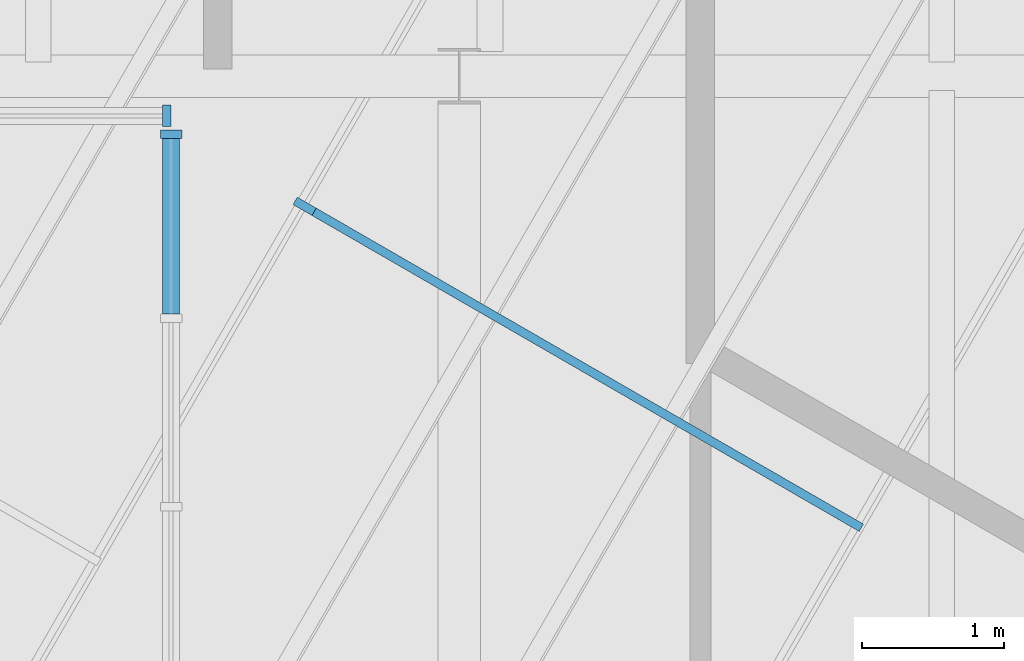
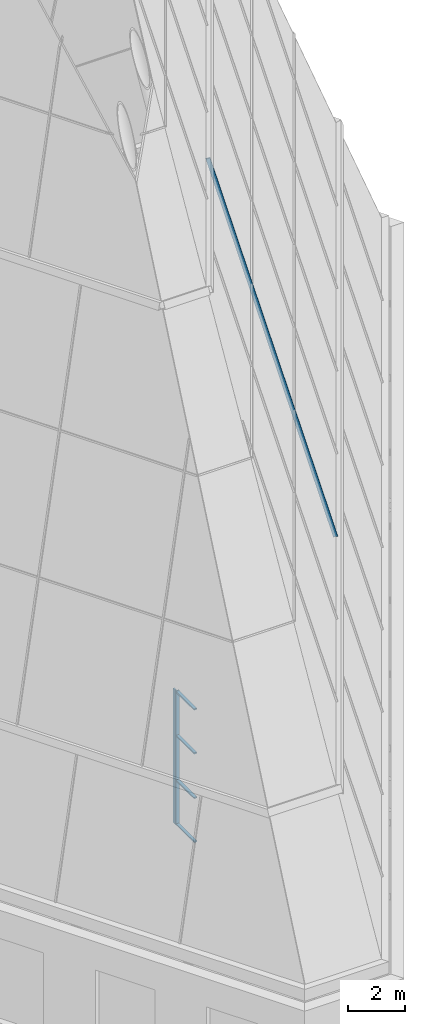
# One storey, part 17 of 36: 7 members, 3 elements without a shape of their own.
"""IFC4 building model written with IfcOpenShell, lengths in metres."""

import ifcopenshell
import ifcopenshell.guid

model = None  # the IFC model being written
_history = None  # IfcOwnerHistory: only IFC2X3 demands one
_inside = {}  # id of a spatial element -> (the spatial element, [elements in it])
_under = {}  # id of a project, library or spatial element -> (it, [spatial elements below it])
_declared = {}  # id of a project -> (the project, [libraries it declares])
_typed = {}  # id of a type object -> (the type object, [elements of that type])
_made_of = {}  # id of a material, layer set ... -> (it, [elements and type objects made of it])


def new_model(schema):
    """Start an empty IFC model of exactly this schema.

    Asked for "IFC4X3", IfcOpenShell would pick the latest addendum, in which some entities
    have other attributes; the version numbers below select the first issue.
    IFC2X3 requires an IfcOwnerHistory on every rooted entity: one is made here for all.
    """
    global model, _history
    if schema == "IFC4X3":
        model = ifcopenshell.file(schema_version=(4, 3, 0, 0))
    else:
        model = ifcopenshell.file(schema=schema)
    _inside.clear()
    _under.clear()
    _declared.clear()
    _typed.clear()
    _made_of.clear()
    _history = None
    if model.schema == "IFC2X3":
        org = make("IfcOrganization", Name="unknown")
        user = make(
            "IfcPersonAndOrganization",
            ThePerson=make("IfcPerson", FamilyName="unknown"),
            TheOrganization=org,
        )
        app = make(
            "IfcApplication",
            ApplicationDeveloper=org,
            Version="unknown",
            ApplicationFullName="unknown",
            ApplicationIdentifier="unknown",
        )
        _history = make(
            "IfcOwnerHistory",
            OwningUser=user,
            OwningApplication=app,
            ChangeAction="ADDED",
            CreationDate=0,
        )
    return model


def make(cls, **values):
    """One entity of the class cls with the attributes given. An attribute that is None is left unset."""
    return model.create_entity(
        cls, **{name: value for name, value in values.items() if value is not None}
    )


def rooted(cls, **values):
    """An entity with a GlobalId (a new one), such as an element, a storey or a relation."""
    return make(cls, GlobalId=ifcopenshell.guid.new(), OwnerHistory=_history, **values)


def si_unit(unit_type, name, prefix=None):
    """IfcSIUnit, for example si_unit("LENGTHUNIT", "METRE", prefix="MILLI")."""
    return make("IfcSIUnit", UnitType=unit_type, Prefix=prefix, Name=name)


def assignment(units):
    """IfcUnitAssignment: the units of a project."""
    return None if units is None else make("IfcUnitAssignment", Units=units)


def point(xyz):
    """IfcCartesianPoint."""
    return None if xyz is None else make("IfcCartesianPoint", Coordinates=xyz)


def direction(xyz):
    """IfcDirection."""
    return None if xyz is None else make("IfcDirection", DirectionRatios=xyz)


def frame(location, z_axis=None, x_axis=None):
    """IfcAxis2Placement3D, a coordinate frame: its origin and axes. An axis left out is left unset."""
    return make(
        "IfcAxis2Placement3D",
        Location=point(location),
        Axis=direction(z_axis),
        RefDirection=direction(x_axis),
    )


def frame_2d(location, x_axis=None):
    """IfcAxis2Placement2D, a coordinate frame in the plane: its origin and x axis."""
    return make(
        "IfcAxis2Placement2D", Location=point(location), RefDirection=direction(x_axis)
    )


def origin():
    """The frame at (0, 0, 0) with its axes left unset."""
    return frame((0.0, 0.0, 0.0))


def origin_2d():
    """The frame at (0, 0) in the plane with its x axis left unset."""
    return frame_2d((0.0, 0.0))


def place(relative_to, where):
    """IfcLocalPlacement: puts the frame where relative to a parent placement (None: the world)."""
    return make(
        "IfcLocalPlacement", PlacementRelTo=relative_to, RelativePlacement=where
    )


def context(
    kind, dimensions, precision=None, world=None, true_north=None, identifier=None
):
    """IfcGeometricRepresentationContext, for example the 3D "Model" context."""
    return make(
        "IfcGeometricRepresentationContext",
        ContextIdentifier=identifier,
        ContextType=kind,
        CoordinateSpaceDimension=dimensions,
        Precision=precision,
        WorldCoordinateSystem=world,
        TrueNorth=true_north,
    )


def subcontext(parent, identifier, kind, view, scale=None):
    """IfcGeometricRepresentationSubContext, for example "Body" below "Model"."""
    return make(
        "IfcGeometricRepresentationSubContext",
        ContextIdentifier=identifier,
        ContextType=kind,
        ParentContext=parent,
        TargetScale=scale,
        TargetView=view,
    )


def project(units=None, contexts=None):
    """IfcProject with its units and contexts."""
    return rooted(
        "IfcProject",
        Name="project",
        RepresentationContexts=contexts,
        UnitsInContext=assignment(units),
    )


def spatial(cls, under=None, at=None, **own):
    """A site, building, storey or space (cls), placed at a placement, below another one or the project."""
    s = rooted(cls, ObjectPlacement=at, **own)
    if under is not None:
        _under.setdefault(under.id(), (under, []))[1].append(s)
    return s


def profile(cls, at=None, kind="AREA", **sizes):
    """A parametric profile (cls). Its sizes go by their IFC names, for example OverallWidth=200.0."""
    return make(cls, ProfileType=kind, Position=at, **sizes)


def rectangle(**sizes):
    """IfcRectangleProfileDef."""
    return profile("IfcRectangleProfileDef", **sizes)


def extrude(swept, where, along, depth):
    """IfcExtrudedAreaSolid: the profile swept, set in the frame where, extruded along a direction by depth."""
    return make(
        "IfcExtrudedAreaSolid",
        SweptArea=swept,
        Position=where,
        ExtrudedDirection=direction(along),
        Depth=depth,
    )


def clip(a, b, op="DIFFERENCE"):
    """IfcBooleanClippingResult: the solid a cut by the half space b."""
    return make(
        "IfcBooleanClippingResult", Operator=op, FirstOperand=a, SecondOperand=b
    )


def halfspace(plane, agree):
    """IfcHalfSpaceSolid: all space on one side of the plane z = 0 of the frame plane."""
    return make(
        "IfcHalfSpaceSolid",
        BaseSurface=make("IfcPlane", Position=plane),
        AgreementFlag=agree,
    )


def shape(context_of_items, identifier, shape_type, items):
    """IfcShapeRepresentation: the items that make up one representation, for example the "Body"."""
    return make(
        "IfcShapeRepresentation",
        ContextOfItems=context_of_items,
        RepresentationIdentifier=identifier,
        RepresentationType=shape_type,
        Items=items,
    )


def material(Name=None, Category=None):
    """IfcMaterial."""
    return make("IfcMaterial", Name=Name, Category=Category)


def layer(
    of_material, thickness, ventilated=None, Name=None, Category=None, Priority=None
):
    """IfcMaterialLayer: one layer of a wall or slab, of a material (None: an air gap)."""
    return make(
        "IfcMaterialLayer",
        Material=of_material,
        LayerThickness=thickness,
        IsVentilated=ventilated,
        Name=Name,
        Category=Category,
        Priority=Priority,
    )


def layer_set(layers, Name=None):
    """IfcMaterialLayerSet."""
    return make("IfcMaterialLayerSet", MaterialLayers=layers, LayerSetName=Name)


def material_profile(
    of_material, cross_section, Name=None, Category=None, Priority=None
):
    """IfcMaterialProfile: a cross section and its material."""
    return make(
        "IfcMaterialProfile",
        Name=Name,
        Material=of_material,
        Profile=cross_section,
        Priority=Priority,
        Category=Category,
    )


def profile_set(profiles, Name=None, composite=None):
    """IfcMaterialProfileSet."""
    return make(
        "IfcMaterialProfileSet",
        Name=Name,
        MaterialProfiles=profiles,
        CompositeProfile=composite,
    )


def made_of(thing, what):
    """Note that an element or type object is made of a material, layer set ...; save() writes the relation."""
    if what is not None:
        _made_of.setdefault(what.id(), (what, []))[1].append(thing)
    return thing


def type_object(cls, material=None, **own):
    """A type object (cls), such as IfcWallType, which elements share."""
    return made_of(rooted(cls, **own), material)


def element(
    cls,
    number,
    at=None,
    inside=None,
    cuts=None,
    type_object=None,
    material=None,
    context=None,
    identifier="Body",
    shape_type=None,
    held_by="IfcProductDefinitionShape",
    body=None,
    shapes=None,
    **own,
):
    """One element of the class cls, such as IfcWall. Its Tag is "e" and its number.

    at: its placement. inside: the storey or other place that contains it. cuts: it is an
    opening in that element (IfcRelVoidsElement). A single representation is given by context,
    identifier, shape_type and body (its items); several are given by shapes. held_by: the class
    of the entity that holds the representations. save() writes the other relations.
    """
    e = rooted(cls, Tag="e%d" % number, ObjectPlacement=at, **own)
    if body is not None:
        shapes = [shape(context, identifier, shape_type, body)]
    if shapes is not None:
        e.Representation = make(held_by, Representations=shapes)
    if inside is not None:
        _inside.setdefault(inside.id(), (inside, []))[1].append(e)
    if cuts is not None:
        rooted(
            "IfcRelVoidsElement", RelatingBuildingElement=cuts, RelatedOpeningElement=e
        )
    if type_object is not None:
        _typed.setdefault(type_object.id(), (type_object, []))[1].append(e)
    return made_of(e, material)


def aggregate(whole, parts):
    """IfcRelAggregates: a whole, such as a stair, and the parts it consists of."""
    return rooted("IfcRelAggregates", RelatingObject=whole, RelatedObjects=parts)


def save(model, path):
    """Write the relations noted so far, then the file.

    IfcRelAggregates (storeys below a building ...), IfcRelContainedInSpatialStructure (elements
    in a storey), IfcRelDefinesByType, IfcRelAssociatesMaterial and IfcRelDeclares: one each for
    every whole, place, type object, material and project.
    """
    for whole, parts in _under.values():
        aggregate(whole, parts)
    for where, things in _inside.values():
        rooted(
            "IfcRelContainedInSpatialStructure",
            RelatedElements=things,
            RelatingStructure=where,
        )
    for kind, things in _typed.values():
        rooted("IfcRelDefinesByType", RelatedObjects=things, RelatingType=kind)
    for what, things in _made_of.values():
        rooted("IfcRelAssociatesMaterial", RelatedObjects=things, RelatingMaterial=what)
    for by, libraries in _declared.values():
        rooted("IfcRelDeclares", RelatingContext=by, RelatedDefinitions=libraries)
    model.write(path)


model = new_model("IFC4")

# Units and contexts
model_context = context("Model", 3, precision=1e-05, world=origin(), true_north=direction((0.0, 1.0)))
body_context = subcontext(model_context, "Body", "Model", "MODEL_VIEW")
ifc_project = project(units=[si_unit("LENGTHUNIT", "METRE"), si_unit("AREAUNIT", "SQUARE_METRE"), si_unit("VOLUMEUNIT", "CUBIC_METRE"), si_unit("PLANEANGLEUNIT", "RADIAN"), si_unit("MASSUNIT", "GRAM", prefix="KILO")], contexts=[model_context])

# Site, building, storey
site_placement = place(None, origin())
site = spatial("IfcSite", under=ifc_project, at=site_placement, CompositionType="ELEMENT")
building_placement = place(site_placement, origin())
building = spatial("IfcBuilding", under=site, at=building_placement, Name="Njiva Tower", CompositionType="ELEMENT")
storey_placement = place(building_placement, frame((0.0, 0.0, 337.8)))
storey = spatial("IfcBuildingStorey", under=building, at=storey_placement, Name="L77", CompositionType="ELEMENT", Elevation=337.8)

# Curtain wall, member
ifc_material_1 = material(Name="Glazed curtain wall", Category="glass")
ifc_layer_1 = layer(ifc_material_1, 0.16)
ifc_layer_set_1 = layer_set([ifc_layer_1], Name="Glazed curtain wall")
curtain_wall_type_1 = type_object("IfcCurtainWallType", Name="CW2 Crown glazing, faceted point, long faces", PredefinedType="NOTDEFINED", material=ifc_layer_set_1)
curtain_wall_1_placement = place(storey_placement, origin())
curtain_wall_1 = element("IfcCurtainWall", 1, at=curtain_wall_1_placement, inside=storey, type_object=curtain_wall_type_1, Name="Crown glazing face SE tier 2", PredefinedType="NOTDEFINED")
ifc_material_2 = material(Name="Aluminium mullion", Category="aluminium")
ifc_material_profile_1 = material_profile(ifc_material_2, rectangle(XDim=0.16, YDim=0.06, at=origin_2d()), Name="RECT 160x60")
ifc_profile_set_1 = profile_set([ifc_material_profile_1], Name="Aluminium mullion")
member_type_1 = type_object("IfcMemberType", Name="CW2-M Crown glazing mullion 160x60", PredefinedType="MULLION", material=ifc_profile_set_1)
member_1_placement = place(storey_placement, frame((8.9172, -6.3444, 12.2446), z_axis=(-0.230733296083, 0.133215917854, 0.963854587222), x_axis=(0.834719445041, -0.481932685527, 0.26642885484)))
member_1 = element("IfcMember", 2, at=member_1_placement, type_object=member_type_1, Name="CW2-52 mullion 3", PredefinedType="MULLION", context=body_context, shape_type="Clipping", body=[
    clip(clip(extrude(rectangle(XDim=0.16, YDim=0.06, at=origin_2d()), origin(), (0.0, 0.0, 1.0), 16.715), halfspace(frame((0.08, 0.0, 0.0), z_axis=(-3.85188e-07, 1.720788e-06, -0.999999999998), x_axis=(0.0, -0.999999999999, -1.720788e-06)), False)), halfspace(frame((0.08, 0.0, 16.715), z_axis=(3.85188e-07, -1.720788e-06, 0.999999999998), x_axis=(0.0, 0.999999999999, 1.720788e-06)), False)),
])
aggregate(curtain_wall_1, [member_1])

ifc_layer_2 = layer(ifc_material_1, 0.2)
ifc_layer_set_2 = layer_set([ifc_layer_2], Name="Glazed curtain wall")
curtain_wall_type_2 = type_object("IfcCurtainWallType", Name="CW5 Atrium lantern glazing", PredefinedType="NOTDEFINED", material=ifc_layer_set_2)
curtain_wall_2_placement = place(storey_placement, origin())
curtain_wall_2 = element("IfcCurtainWall", 3, at=curtain_wall_2_placement, inside=storey, type_object=curtain_wall_type_2, Name="Atrium lantern north 2", PredefinedType="NOTDEFINED")
ifc_material_profile_2 = material_profile(ifc_material_2, rectangle(XDim=0.15, YDim=0.06, at=origin_2d()), Name="RECT 150x60")
ifc_profile_set_2 = profile_set([ifc_material_profile_2], Name="Aluminium mullion")
member_type_2 = type_object("IfcMemberType", Name="CW5-M Lantern mullion 150x60", PredefinedType="MULLION", material=ifc_profile_set_2)
member_2_placement = place(storey_placement, frame((4.09, -3.48, 0.0), z_axis=(0.0, 0.0, 1.0), x_axis=(0.0, 1.0, 0.0)))
member_2 = element("IfcMember", 4, at=member_2_placement, type_object=member_type_2, Name="CW5-4 mullion 4", PredefinedType="MULLION", context=body_context, shape_type="SweptSolid", body=[
    extrude(rectangle(XDim=0.15, YDim=0.06, at=origin_2d()), origin(), (0.0, 0.0, 1.0), 5.7),
])
aggregate(curtain_wall_2, [member_2])

# Curtain wall, members
curtain_wall_3_placement = place(storey_placement, origin())
curtain_wall_3 = element("IfcCurtainWall", 5, at=curtain_wall_3_placement, inside=storey, type_object=curtain_wall_type_2, Name="Atrium lantern east 2", PredefinedType="NOTDEFINED")
member_3_placement = place(storey_placement, frame((4.12, -3.61, 0.0), z_axis=(0.0, 0.0, 1.0), x_axis=(-1.0, 0.0, 0.0)))
member_3 = element("IfcMember", 6, at=member_3_placement, type_object=member_type_2, Name="CW5-8 mullion 4", PredefinedType="MULLION", context=body_context, shape_type="SweptSolid", body=[
    extrude(rectangle(XDim=0.15, YDim=0.06, at=origin_2d()), origin(), (0.0, 0.0, 1.0), 5.7),
])
ifc_material_3 = material(Name="Aluminium transom", Category="aluminium")
ifc_material_profile_3 = material_profile(ifc_material_3, rectangle(XDim=0.12, YDim=0.06, at=origin_2d()), Name="RECT 120x60")
ifc_profile_set_3 = profile_set([ifc_material_profile_3], Name="Aluminium transom")
member_type_3 = type_object("IfcMemberType", Name="CW5-T Lantern transom 120x60", PredefinedType="USERDEFINED", material=ifc_profile_set_3)
member_4_placement = place(storey_placement, frame((4.12, -4.8767, 0.03), z_axis=(0.0, 1.0, 0.0), x_axis=(-1.0, 0.0, 0.0)))
member_4 = element("IfcMember", 7, at=member_4_placement, type_object=member_type_3, Name="CW5-8 transom 3.1", ObjectType="TRANSOM", PredefinedType="USERDEFINED", context=body_context, shape_type="SweptSolid", body=[
    extrude(rectangle(XDim=0.12, YDim=0.06, at=origin_2d()), origin(), (0.0, 0.0, 1.0), 1.2367),
])
member_5_placement = place(storey_placement, frame((4.12, -4.8767, 1.9), z_axis=(0.0, 1.0, 0.0), x_axis=(-1.0, 0.0, 0.0)))
member_5 = element("IfcMember", 8, at=member_5_placement, type_object=member_type_3, Name="CW5-8 transom 3.2", ObjectType="TRANSOM", PredefinedType="USERDEFINED", context=body_context, shape_type="SweptSolid", body=[
    extrude(rectangle(XDim=0.12, YDim=0.06, at=origin_2d()), origin(), (0.0, 0.0, 1.0), 1.2367),
])
member_6_placement = place(storey_placement, frame((4.12, -4.8767, 3.8), z_axis=(0.0, 1.0, 0.0), x_axis=(-1.0, 0.0, 0.0)))
member_6 = element("IfcMember", 9, at=member_6_placement, type_object=member_type_3, Name="CW5-8 transom 3.3", ObjectType="TRANSOM", PredefinedType="USERDEFINED", context=body_context, shape_type="SweptSolid", body=[
    extrude(rectangle(XDim=0.12, YDim=0.06, at=origin_2d()), origin(), (0.0, 0.0, 1.0), 1.2367),
])
member_7_placement = place(storey_placement, frame((4.12, -4.8767, 5.67), z_axis=(0.0, 1.0, 0.0), x_axis=(-1.0, 0.0, 0.0)))
member_7 = element("IfcMember", 10, at=member_7_placement, type_object=member_type_3, Name="CW5-8 transom 3.4", ObjectType="TRANSOM", PredefinedType="USERDEFINED", context=body_context, shape_type="SweptSolid", body=[
    extrude(rectangle(XDim=0.12, YDim=0.06, at=origin_2d()), origin(), (0.0, 0.0, 1.0), 1.2367),
])
aggregate(curtain_wall_3, [member_3, member_4, member_5, member_6, member_7])

save(model, "model.ifc")
